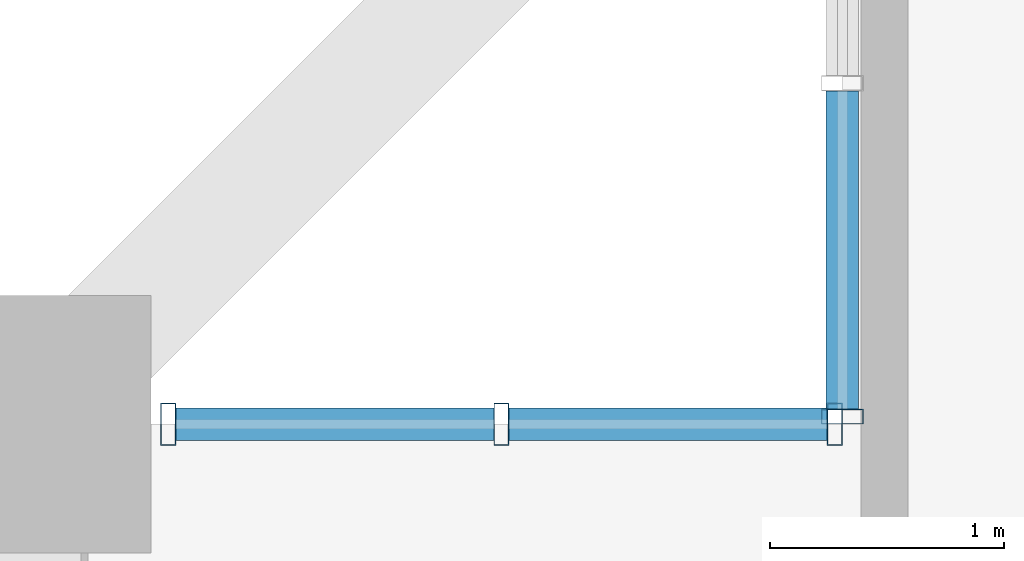
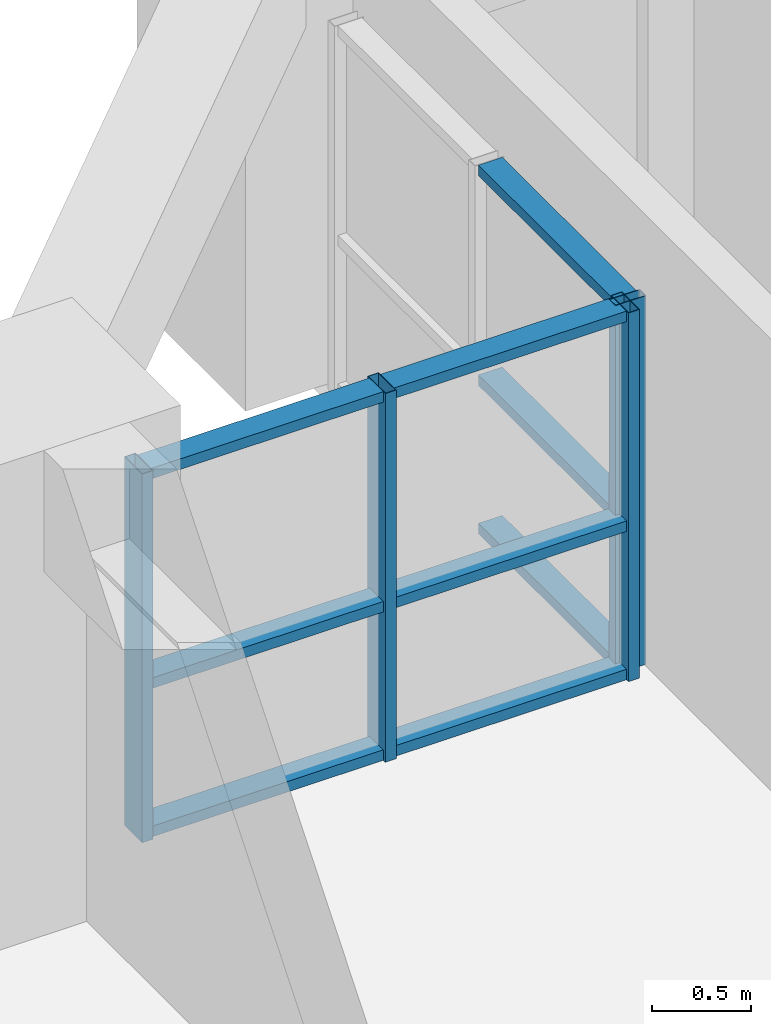
# One storey, part 6 of 28: 13 members, 2 elements without a shape of their own.
"""IFC4 building model written with IfcOpenShell, lengths in metres."""

from ifc_helpers import new_model, si_unit, direction, frame, origin, origin_2d, place, context, subcontext, project, spatial, hollow_rectangle, extrude, source, transform, mapped, material, layer, layer_set, material_profile, profile_set, type_object, element, aggregate, save


model = new_model("IFC4")

# Units and contexts
model_context = context("Model", 3, precision=1e-05, world=origin(), true_north=direction((0.0, 1.0)))
body_context = subcontext(model_context, "Body", "Model", "MODEL_VIEW")
ifc_project = project(units=[si_unit("LENGTHUNIT", "METRE"), si_unit("AREAUNIT", "SQUARE_METRE"), si_unit("VOLUMEUNIT", "CUBIC_METRE"), si_unit("PLANEANGLEUNIT", "RADIAN"), si_unit("MASSUNIT", "GRAM", prefix="KILO")], contexts=[model_context])

# Site, building, storey
site_placement = place(None, origin())
site = spatial("IfcSite", under=ifc_project, at=site_placement, CompositionType="ELEMENT")
building_placement = place(site_placement, origin())
building = spatial("IfcBuilding", under=site, at=building_placement, Name="Saelheon Loggia Tower", CompositionType="ELEMENT")
storey_placement = place(building_placement, frame((0.0, 0.0, 61.39990234375)))
storey = spatial("IfcBuildingStorey", under=building, at=storey_placement, Name="L19", CompositionType="ELEMENT", Elevation=61.39990234375)

# Curtain wall, member
ifc_material_1 = material(Name="Thermal-Break Aluminium and Triple Low-E Glass", Category="aluminium")
ifc_layer = layer(ifc_material_1, 0.159912109375)
ifc_layer_set = layer_set([ifc_layer], Name="Thermal-Break Aluminium and Triple Low-E Glass")
curtain_wall_type = type_object("IfcCurtainWallType", Name="CW_TowerLoggiaLow", PredefinedType="NOTDEFINED", material=ifc_layer_set)
curtain_wall_1_placement = place(storey_placement, origin())
curtain_wall_1 = element("IfcCurtainWall", 1, at=curtain_wall_1_placement, inside=storey, type_object=curtain_wall_type, Name="L19 Corner Notch Glazing NW1", PredefinedType="NOTDEFINED")
ifc_material_2 = material(Name="Anodised Aluminium 6063-T6", Category="aluminium")
ifc_material_profile_1 = material_profile(ifc_material_2, hollow_rectangle(XDim=0.06494140625, YDim=0.179931640625, WallThickness=0.00390625, at=origin_2d()), Name="RHS-180x65x4")
ifc_profile_set_1 = profile_set([ifc_material_profile_1], Name="Anodised Aluminium 6063-T6")
member_type_1 = type_object("IfcMemberType", Name="CW_TowerLoggiaLow_Mullion", PredefinedType="MULLION", material=ifc_profile_set_1)
shared_shape_1 = source(origin(), body_context, "Body", "SweptSolid", [
    extrude(hollow_rectangle(XDim=0.06494140625, YDim=0.179931640625, WallThickness=0.00390625, at=origin_2d()), origin(), (0.0, 0.0, 1.0), 2.280029296875),
])
member_1_placement = place(storey_placement, frame((15.5, 47.532470703125, 0.0), z_axis=(0.0, 0.0, 1.0), x_axis=(0.0, 1.0, 0.0)))
member_1 = element("IfcMember", 2, at=member_1_placement, type_object=member_type_1, Name="CW3 mullion 1", PredefinedType="MULLION", context=body_context, shape_type="MappedRepresentation", body=[
    mapped(shared_shape_1, transform((0.0, 0.0, 0.0), scale=1.0)),
])

# Curtain wall, members
curtain_wall_2_placement = place(storey_placement, origin())
curtain_wall_2 = element("IfcCurtainWall", 3, at=curtain_wall_2_placement, inside=storey, type_object=curtain_wall_type, Name="L19 Corner Notch Glazing NW2", PredefinedType="NOTDEFINED")
member_2_placement = place(storey_placement, frame((12.62255859375, 47.5, 0.0), z_axis=(0.0, 0.0, 1.0), x_axis=(1.0, 0.0, 0.0)))
member_2 = element("IfcMember", 4, at=member_2_placement, type_object=member_type_1, Name="CW3 mullion 1", PredefinedType="MULLION", context=body_context, shape_type="MappedRepresentation", body=[
    mapped(shared_shape_1, transform((0.0, 0.0, 0.0), scale=1.0)),
])
member_3_placement = place(storey_placement, frame((14.044921875, 47.5, 0.0), z_axis=(0.0, 0.0, 1.0), x_axis=(1.0, 0.0, 0.0)))
member_3 = element("IfcMember", 5, at=member_3_placement, type_object=member_type_1, Name="CW3 mullion 2", PredefinedType="MULLION", context=body_context, shape_type="MappedRepresentation", body=[
    mapped(shared_shape_1, transform((0.0, 0.0, 0.0), scale=1.0)),
])
member_4_placement = place(storey_placement, frame((15.467529296875, 47.5, 0.0), z_axis=(0.0, 0.0, 1.0), x_axis=(1.0, 0.0, 0.0)))
member_4 = element("IfcMember", 6, at=member_4_placement, type_object=member_type_1, Name="CW3 mullion 3", PredefinedType="MULLION", context=body_context, shape_type="MappedRepresentation", body=[
    mapped(shared_shape_1, transform((0.0, 0.0, 0.0), scale=1.0)),
])
ifc_material_profile_2 = material_profile(ifc_material_2, hollow_rectangle(XDim=0.06494140625, YDim=0.139892578125, WallThickness=0.00390625, at=origin_2d()), Name="RHS-140x65x4")
ifc_profile_set_2 = profile_set([ifc_material_profile_2], Name="Anodised Aluminium 6063-T6")
member_type_2 = type_object("IfcMemberType", Name="CW_TowerLoggiaLow_Transom", PredefinedType="USERDEFINED", material=ifc_profile_set_2)
shared_shape_2 = source(origin(), body_context, "Body", "SweptSolid", [
    extrude(hollow_rectangle(XDim=0.06494140625, YDim=0.139892578125, WallThickness=0.00390625, at=origin_2d()), origin(), (0.0, 0.0, 1.0), 1.357421875),
])
member_5_placement = place(storey_placement, frame((12.655029296875, 47.5, 0.03271484375), z_axis=(1.0, 0.0, 0.0), x_axis=(0.0, 0.0, 1.0)))
member_5 = element("IfcMember", 7, at=member_5_placement, type_object=member_type_2, Name="CW3 transom 1.1", ObjectType="TRANSOM", PredefinedType="USERDEFINED", context=body_context, shape_type="MappedRepresentation", body=[
    mapped(shared_shape_2, transform((0.0, 0.0, 0.0), scale=1.0)),
])
member_6_placement = place(storey_placement, frame((12.655029296875, 47.5, 0.9501953125), z_axis=(1.0, 0.0, 0.0), x_axis=(0.0, 0.0, 1.0)))
member_6 = element("IfcMember", 8, at=member_6_placement, type_object=member_type_2, Name="CW3 transom 1.2", ObjectType="TRANSOM", PredefinedType="USERDEFINED", context=body_context, shape_type="MappedRepresentation", body=[
    mapped(shared_shape_2, transform((0.0, 0.0, 0.0), scale=1.0)),
])
member_7_placement = place(storey_placement, frame((12.655029296875, 47.5, 2.24755859375), z_axis=(1.0, 0.0, 0.0), x_axis=(0.0, 0.0, 1.0)))
member_7 = element("IfcMember", 9, at=member_7_placement, type_object=member_type_2, Name="CW3 transom 1.3", ObjectType="TRANSOM", PredefinedType="USERDEFINED", context=body_context, shape_type="MappedRepresentation", body=[
    mapped(shared_shape_2, transform((0.0, 0.0, 0.0), scale=1.0)),
])

# Member
shared_shape_3 = source(origin(), body_context, "Body", "SweptSolid", [
    extrude(hollow_rectangle(XDim=0.06494140625, YDim=0.139892578125, WallThickness=0.00390625, at=origin_2d()), origin(), (0.0, 0.0, 1.0), 1.357666015625),
])
member_8_placement = place(storey_placement, frame((15.5, 47.56494140625, 0.03271484375), z_axis=(0.0, 1.0, 0.0), x_axis=(0.0, 0.0, 1.0)))
member_8 = element("IfcMember", 10, at=member_8_placement, type_object=member_type_2, Name="CW3 transom 1.1", ObjectType="TRANSOM", PredefinedType="USERDEFINED", context=body_context, shape_type="MappedRepresentation", body=[
    mapped(shared_shape_3, transform((0.0, 0.0, 0.0), scale=1.0)),
])

member_9_placement = place(storey_placement, frame((15.5, 47.56494140625, 0.9501953125), z_axis=(0.0, 1.0, 0.0), x_axis=(0.0, 0.0, 1.0)))
member_9 = element("IfcMember", 11, at=member_9_placement, type_object=member_type_2, Name="CW3 transom 1.2", ObjectType="TRANSOM", PredefinedType="USERDEFINED", context=body_context, shape_type="MappedRepresentation", body=[
    mapped(shared_shape_3, transform((0.0, 0.0, 0.0), scale=1.0)),
])

member_10_placement = place(storey_placement, frame((15.5, 47.56494140625, 2.24755859375), z_axis=(0.0, 1.0, 0.0), x_axis=(0.0, 0.0, 1.0)))
member_10 = element("IfcMember", 12, at=member_10_placement, type_object=member_type_2, Name="CW3 transom 1.3", ObjectType="TRANSOM", PredefinedType="USERDEFINED", context=body_context, shape_type="MappedRepresentation", body=[
    mapped(shared_shape_3, transform((0.0, 0.0, 0.0), scale=1.0)),
])

aggregate(curtain_wall_1, [member_1, member_8, member_9, member_10])

member_11_placement = place(storey_placement, frame((14.077392578125, 47.5, 0.03271484375), z_axis=(1.0, 0.0, 0.0), x_axis=(0.0, 0.0, 1.0)))
member_11 = element("IfcMember", 13, at=member_11_placement, type_object=member_type_2, Name="CW3 transom 2.1", ObjectType="TRANSOM", PredefinedType="USERDEFINED", context=body_context, shape_type="MappedRepresentation", body=[
    mapped(shared_shape_3, transform((0.0, 0.0, 0.0), scale=1.0)),
])

member_12_placement = place(storey_placement, frame((14.077392578125, 47.5, 0.9501953125), z_axis=(1.0, 0.0, 0.0), x_axis=(0.0, 0.0, 1.0)))
member_12 = element("IfcMember", 14, at=member_12_placement, type_object=member_type_2, Name="CW3 transom 2.2", ObjectType="TRANSOM", PredefinedType="USERDEFINED", context=body_context, shape_type="MappedRepresentation", body=[
    mapped(shared_shape_3, transform((0.0, 0.0, 0.0), scale=1.0)),
])

member_13_placement = place(storey_placement, frame((14.077392578125, 47.5, 2.24755859375), z_axis=(1.0, 0.0, 0.0), x_axis=(0.0, 0.0, 1.0)))
member_13 = element("IfcMember", 15, at=member_13_placement, type_object=member_type_2, Name="CW3 transom 2.3", ObjectType="TRANSOM", PredefinedType="USERDEFINED", context=body_context, shape_type="MappedRepresentation", body=[
    mapped(shared_shape_3, transform((0.0, 0.0, 0.0), scale=1.0)),
])

aggregate(curtain_wall_2, [member_2, member_3, member_4, member_5, member_6, member_7, member_11, member_12, member_13])

save(model, "model.ifc")
